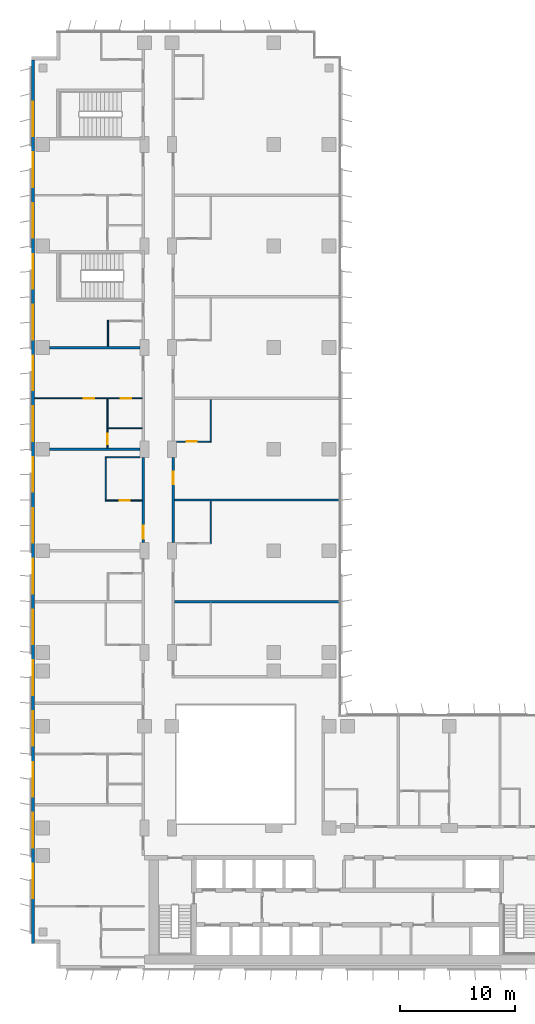
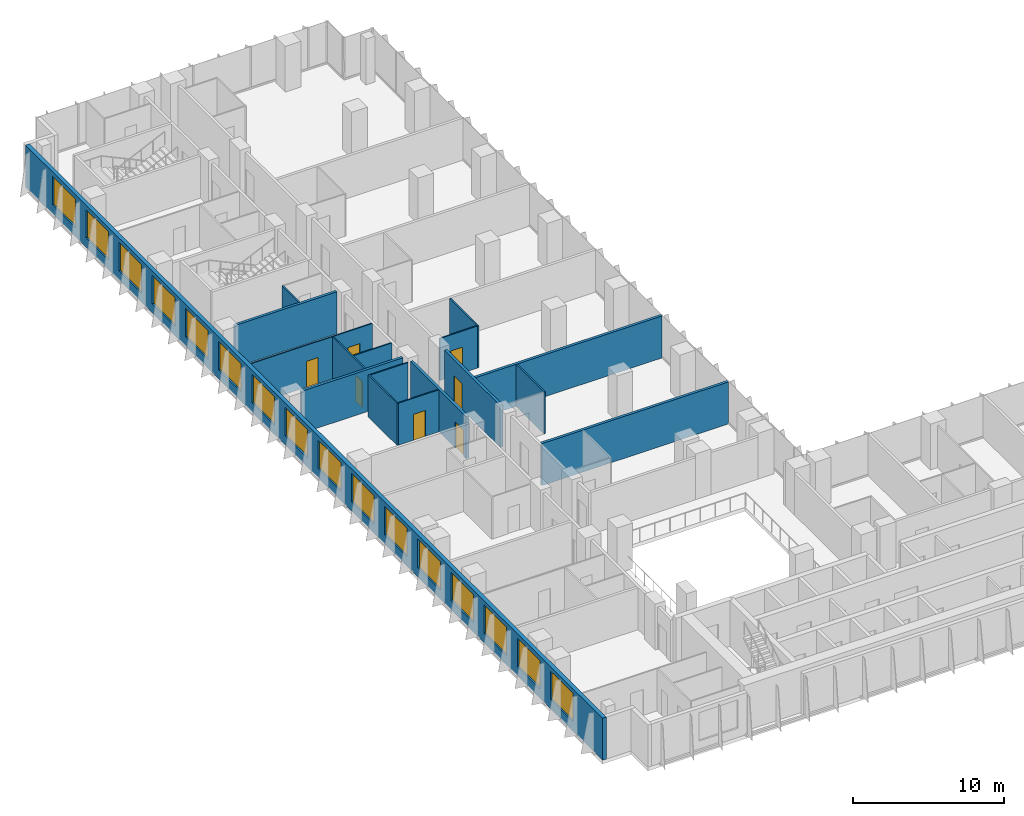
# One storey, part 16 of 22: 17 walls, 16 windows, 7 doors, 23 openings.
"""IFC4 building model written with IfcOpenShell, lengths in metres."""

from ifc_helpers import new_model, si_unit, direction, frame, frame_2d, origin, place, context, subcontext, project, spatial, rectangle, extrude, material, layer, layer_set, type_object, element, fill, save


model = new_model("IFC4")

# Units and contexts
model_context = context("Model", 3, precision=1e-05, world=origin(), true_north=direction((0.0, 1.0)))
body_context = subcontext(model_context, "Body", "Model", "MODEL_VIEW")
ifc_project = project(units=[si_unit("LENGTHUNIT", "METRE"), si_unit("AREAUNIT", "SQUARE_METRE"), si_unit("VOLUMEUNIT", "CUBIC_METRE"), si_unit("PLANEANGLEUNIT", "RADIAN"), si_unit("MASSUNIT", "GRAM", prefix="KILO")], contexts=[model_context])

# Site, building, storey
site_placement = place(None, origin())
site = spatial("IfcSite", under=ifc_project, at=site_placement, CompositionType="ELEMENT")
building_placement = place(site_placement, origin())
building = spatial("IfcBuilding", under=site, at=building_placement, Name="Kemantara Hotel Tower", CompositionType="ELEMENT")
storey_placement = place(building_placement, frame((0.0, 0.0, 145.699951171875)))
storey = spatial("IfcBuildingStorey", under=building, at=storey_placement, Name="L35", CompositionType="ELEMENT", Elevation=145.699951171875)

# Wall, openings, windows
ifc_material_1 = material(Name="Bronze anodised aluminium cladding on insulated steel stud wall", Category="steel")
ifc_layer_1 = layer(ifc_material_1, 0.300048828125)
ifc_layer_set_1 = layer_set([ifc_layer_1], Name="Bronze anodised aluminium cladding on insulated steel stud wall")
wall_type_1 = type_object("IfcWallType", Name="BRONZE METAL-CLAD EXTERNAL WALL 300", PredefinedType="STANDARD", material=ifc_layer_set_1)
wall_1_placement = place(storey_placement, frame((0.14990234375, 78.699951171875, 0.0), z_axis=(0.0, 0.0, 1.0), x_axis=(0.0, -1.0, 0.0)))
wall_1 = element("IfcWall", 1, at=wall_1_placement, inside=storey, type_object=wall_type_1, Name="EXTERNAL WALL L35 T2-R04", PredefinedType="STANDARD", context=body_context, shape_type="SweptSolid", body=[
    extrude(rectangle(XDim=76.5, YDim=0.300048828125, at=frame_2d((38.25, 0.0))), origin(), (0.0, 0.0, 1.0), 3.400146484375),
])
opening_1_placement = place(wall_1_placement, frame((3.60009765625, 0.0, 0.75)))
opening_1 = element("IfcOpeningElement", 2, at=opening_1_placement, cuts=wall_1, Name="Opening W1", PredefinedType="OPENING", context=body_context, shape_type="SweptSolid", body=[
    extrude(rectangle(XDim=3.0, YDim=2.300048828125, at=frame_2d((1.5, 1.14990234375))), frame((0.0, 0.159912109375, 0.0), z_axis=(0.0, -1.0, 0.0), x_axis=(1.0, 0.0, 0.0)), (0.0, 0.0, 1.0), 0.320068359375),
])
opening_2_placement = place(wall_1_placement, frame((8.0, 0.0, 0.75)))
opening_2 = element("IfcOpeningElement", 3, at=opening_2_placement, cuts=wall_1, Name="Opening W1", PredefinedType="OPENING", context=body_context, shape_type="SweptSolid", body=[
    extrude(rectangle(XDim=3.0, YDim=2.300048828125, at=frame_2d((1.5, 1.14990234375))), frame((0.0, 0.159912109375, 0.0), z_axis=(0.0, -1.0, 0.0), x_axis=(1.0, 0.0, 0.0)), (0.0, 0.0, 1.0), 0.320068359375),
])
opening_3_placement = place(wall_1_placement, frame((12.39990234375, 0.0, 0.75)))
opening_3 = element("IfcOpeningElement", 4, at=opening_3_placement, cuts=wall_1, Name="Opening W1", PredefinedType="OPENING", context=body_context, shape_type="SweptSolid", body=[
    extrude(rectangle(XDim=3.0, YDim=2.300048828125, at=frame_2d((1.5, 1.14990234375))), frame((0.0, 0.159912109375, 0.0), z_axis=(0.0, -1.0, 0.0), x_axis=(1.0, 0.0, 0.0)), (0.0, 0.0, 1.0), 0.320068359375),
])
opening_4_placement = place(wall_1_placement, frame((16.800048828125, 0.0, 0.75)))
opening_4 = element("IfcOpeningElement", 5, at=opening_4_placement, cuts=wall_1, Name="Opening W1", PredefinedType="OPENING", context=body_context, shape_type="SweptSolid", body=[
    extrude(rectangle(XDim=3.0, YDim=2.300048828125, at=frame_2d((1.5, 1.14990234375))), frame((0.0, 0.159912109375, 0.0), z_axis=(0.0, -1.0, 0.0), x_axis=(1.0, 0.0, 0.0)), (0.0, 0.0, 1.0), 0.320068359375),
])
opening_5_placement = place(wall_1_placement, frame((21.199951171875, 0.0, 0.75)))
opening_5 = element("IfcOpeningElement", 6, at=opening_5_placement, cuts=wall_1, Name="Opening W1", PredefinedType="OPENING", context=body_context, shape_type="SweptSolid", body=[
    extrude(rectangle(XDim=3.0, YDim=2.300048828125, at=frame_2d((1.5, 1.14990234375))), frame((0.0, 0.159912109375, 0.0), z_axis=(0.0, -1.0, 0.0), x_axis=(1.0, 0.0, 0.0)), (0.0, 0.0, 1.0), 0.320068359375),
])
opening_6_placement = place(wall_1_placement, frame((25.60009765625, 0.0, 0.75)))
opening_6 = element("IfcOpeningElement", 7, at=opening_6_placement, cuts=wall_1, Name="Opening W1", PredefinedType="OPENING", context=body_context, shape_type="SweptSolid", body=[
    extrude(rectangle(XDim=3.0, YDim=2.300048828125, at=frame_2d((1.5, 1.14990234375))), frame((0.0, 0.159912109375, 0.0), z_axis=(0.0, -1.0, 0.0), x_axis=(1.0, 0.0, 0.0)), (0.0, 0.0, 1.0), 0.320068359375),
])
opening_7_placement = place(wall_1_placement, frame((30.0, 0.0, 0.75)))
opening_7 = element("IfcOpeningElement", 8, at=opening_7_placement, cuts=wall_1, Name="Opening W1", PredefinedType="OPENING", context=body_context, shape_type="SweptSolid", body=[
    extrude(rectangle(XDim=3.0, YDim=2.300048828125, at=frame_2d((1.5, 1.14990234375))), frame((0.0, 0.159912109375, 0.0), z_axis=(0.0, -1.0, 0.0), x_axis=(1.0, 0.0, 0.0)), (0.0, 0.0, 1.0), 0.320068359375),
])
opening_8_placement = place(wall_1_placement, frame((34.39990234375, 0.0, 0.75)))
opening_8 = element("IfcOpeningElement", 9, at=opening_8_placement, cuts=wall_1, Name="Opening W1", PredefinedType="OPENING", context=body_context, shape_type="SweptSolid", body=[
    extrude(rectangle(XDim=3.0, YDim=2.300048828125, at=frame_2d((1.5, 1.14990234375))), frame((0.0, 0.159912109375, 0.0), z_axis=(0.0, -1.0, 0.0), x_axis=(1.0, 0.0, 0.0)), (0.0, 0.0, 1.0), 0.320068359375),
])
opening_9_placement = place(wall_1_placement, frame((38.800048828125, 0.0, 0.75)))
opening_9 = element("IfcOpeningElement", 10, at=opening_9_placement, cuts=wall_1, Name="Opening W1", PredefinedType="OPENING", context=body_context, shape_type="SweptSolid", body=[
    extrude(rectangle(XDim=3.0, YDim=2.300048828125, at=frame_2d((1.5, 1.14990234375))), frame((0.0, 0.159912109375, 0.0), z_axis=(0.0, -1.0, 0.0), x_axis=(1.0, 0.0, 0.0)), (0.0, 0.0, 1.0), 0.320068359375),
])
opening_10_placement = place(wall_1_placement, frame((43.199951171875, 0.0, 0.75)))
opening_10 = element("IfcOpeningElement", 11, at=opening_10_placement, cuts=wall_1, Name="Opening W1", PredefinedType="OPENING", context=body_context, shape_type="SweptSolid", body=[
    extrude(rectangle(XDim=3.0, YDim=2.300048828125, at=frame_2d((1.5, 1.14990234375))), frame((0.0, 0.159912109375, 0.0), z_axis=(0.0, -1.0, 0.0), x_axis=(1.0, 0.0, 0.0)), (0.0, 0.0, 1.0), 0.320068359375),
])
opening_11_placement = place(wall_1_placement, frame((47.60009765625, 0.0, 0.75)))
opening_11 = element("IfcOpeningElement", 12, at=opening_11_placement, cuts=wall_1, Name="Opening W1", PredefinedType="OPENING", context=body_context, shape_type="SweptSolid", body=[
    extrude(rectangle(XDim=3.0, YDim=2.300048828125, at=frame_2d((1.5, 1.14990234375))), frame((0.0, 0.159912109375, 0.0), z_axis=(0.0, -1.0, 0.0), x_axis=(1.0, 0.0, 0.0)), (0.0, 0.0, 1.0), 0.320068359375),
])
opening_12_placement = place(wall_1_placement, frame((52.0, 0.0, 0.75)))
opening_12 = element("IfcOpeningElement", 13, at=opening_12_placement, cuts=wall_1, Name="Opening W1", PredefinedType="OPENING", context=body_context, shape_type="SweptSolid", body=[
    extrude(rectangle(XDim=3.0, YDim=2.300048828125, at=frame_2d((1.5, 1.14990234375))), frame((0.0, 0.159912109375, 0.0), z_axis=(0.0, -1.0, 0.0), x_axis=(1.0, 0.0, 0.0)), (0.0, 0.0, 1.0), 0.320068359375),
])
opening_13_placement = place(wall_1_placement, frame((56.39990234375, 0.0, 0.75)))
opening_13 = element("IfcOpeningElement", 14, at=opening_13_placement, cuts=wall_1, Name="Opening W1", PredefinedType="OPENING", context=body_context, shape_type="SweptSolid", body=[
    extrude(rectangle(XDim=3.0, YDim=2.300048828125, at=frame_2d((1.5, 1.14990234375))), frame((0.0, 0.159912109375, 0.0), z_axis=(0.0, -1.0, 0.0), x_axis=(1.0, 0.0, 0.0)), (0.0, 0.0, 1.0), 0.320068359375),
])
opening_14_placement = place(wall_1_placement, frame((60.800048828125, 0.0, 0.75)))
opening_14 = element("IfcOpeningElement", 15, at=opening_14_placement, cuts=wall_1, Name="Opening W1", PredefinedType="OPENING", context=body_context, shape_type="SweptSolid", body=[
    extrude(rectangle(XDim=3.0, YDim=2.300048828125, at=frame_2d((1.5, 1.14990234375))), frame((0.0, 0.159912109375, 0.0), z_axis=(0.0, -1.0, 0.0), x_axis=(1.0, 0.0, 0.0)), (0.0, 0.0, 1.0), 0.320068359375),
])
opening_15_placement = place(wall_1_placement, frame((65.199951171875, 0.0, 0.75)))
opening_15 = element("IfcOpeningElement", 16, at=opening_15_placement, cuts=wall_1, Name="Opening W1", PredefinedType="OPENING", context=body_context, shape_type="SweptSolid", body=[
    extrude(rectangle(XDim=3.0, YDim=2.300048828125, at=frame_2d((1.5, 1.14990234375))), frame((0.0, 0.159912109375, 0.0), z_axis=(0.0, -1.0, 0.0), x_axis=(1.0, 0.0, 0.0)), (0.0, 0.0, 1.0), 0.320068359375),
])
opening_16_placement = place(wall_1_placement, frame((69.60009765625, 0.0, 0.75)))
opening_16 = element("IfcOpeningElement", 17, at=opening_16_placement, cuts=wall_1, Name="Opening W1", PredefinedType="OPENING", context=body_context, shape_type="SweptSolid", body=[
    extrude(rectangle(XDim=3.0, YDim=2.300048828125, at=frame_2d((1.5, 1.14990234375))), frame((0.0, 0.159912109375, 0.0), z_axis=(0.0, -1.0, 0.0), x_axis=(1.0, 0.0, 0.0)), (0.0, 0.0, 1.0), 0.320068359375),
])
ifc_material_2 = material(Name="Low-E tinted double insulated glass in bronze anodised aluminium frame", Category="aluminium")
window_type = type_object("IfcWindowType", Name="CHICAGO WINDOW, TRIPLE PANEL 3000x2300", PartitioningType="TRIPLE_PANEL_VERTICAL", PredefinedType="WINDOW", material=ifc_material_2)
window_1_placement = place(opening_1_placement, origin())
window_1 = element("IfcWindow", 18, at=window_1_placement, inside=storey, type_object=window_type, Name="CHICAGO WINDOW L35 T2-R04-54", OverallHeight=2.300048828125, OverallWidth=3.0, PartitioningType="SINGLE_PANEL", PredefinedType="WINDOW", context=body_context, shape_type="SweptSolid", body=[
    extrude(rectangle(XDim=3.0, YDim=2.300048828125, at=frame_2d((1.5, 1.14990234375))), frame((0.0, 0.030029296875, 0.0), z_axis=(0.0, -1.0, 0.0), x_axis=(1.0, 0.0, 0.0)), (0.0, 0.0, 1.0), 0.06005859375),
])
fill(opening_1, window_1)
window_2_placement = place(opening_2_placement, origin())
window_2 = element("IfcWindow", 19, at=window_2_placement, inside=storey, type_object=window_type, Name="CHICAGO WINDOW L35 T2-R04-98", OverallHeight=2.300048828125, OverallWidth=3.0, PartitioningType="SINGLE_PANEL", PredefinedType="WINDOW", context=body_context, shape_type="SweptSolid", body=[
    extrude(rectangle(XDim=3.0, YDim=2.300048828125, at=frame_2d((1.5, 1.14990234375))), frame((0.0, 0.030029296875, 0.0), z_axis=(0.0, -1.0, 0.0), x_axis=(1.0, 0.0, 0.0)), (0.0, 0.0, 1.0), 0.06005859375),
])
fill(opening_2, window_2)
window_3_placement = place(opening_3_placement, origin())
window_3 = element("IfcWindow", 20, at=window_3_placement, inside=storey, type_object=window_type, Name="CHICAGO WINDOW L35 T2-R04-142", OverallHeight=2.300048828125, OverallWidth=3.0, PartitioningType="SINGLE_PANEL", PredefinedType="WINDOW", context=body_context, shape_type="SweptSolid", body=[
    extrude(rectangle(XDim=3.0, YDim=2.300048828125, at=frame_2d((1.5, 1.14990234375))), frame((0.0, 0.030029296875, 0.0), z_axis=(0.0, -1.0, 0.0), x_axis=(1.0, 0.0, 0.0)), (0.0, 0.0, 1.0), 0.06005859375),
])
fill(opening_3, window_3)
window_4_placement = place(opening_4_placement, origin())
window_4 = element("IfcWindow", 21, at=window_4_placement, inside=storey, type_object=window_type, Name="CHICAGO WINDOW L35 T2-R04-186", OverallHeight=2.300048828125, OverallWidth=3.0, PartitioningType="SINGLE_PANEL", PredefinedType="WINDOW", context=body_context, shape_type="SweptSolid", body=[
    extrude(rectangle(XDim=3.0, YDim=2.300048828125, at=frame_2d((1.5, 1.14990234375))), frame((0.0, 0.030029296875, 0.0), z_axis=(0.0, -1.0, 0.0), x_axis=(1.0, 0.0, 0.0)), (0.0, 0.0, 1.0), 0.06005859375),
])
fill(opening_4, window_4)
window_5_placement = place(opening_5_placement, origin())
window_5 = element("IfcWindow", 22, at=window_5_placement, inside=storey, type_object=window_type, Name="CHICAGO WINDOW L35 T2-R04-230", OverallHeight=2.300048828125, OverallWidth=3.0, PartitioningType="SINGLE_PANEL", PredefinedType="WINDOW", context=body_context, shape_type="SweptSolid", body=[
    extrude(rectangle(XDim=3.0, YDim=2.300048828125, at=frame_2d((1.5, 1.14990234375))), frame((0.0, 0.030029296875, 0.0), z_axis=(0.0, -1.0, 0.0), x_axis=(1.0, 0.0, 0.0)), (0.0, 0.0, 1.0), 0.06005859375),
])
fill(opening_5, window_5)
window_6_placement = place(opening_6_placement, origin())
window_6 = element("IfcWindow", 23, at=window_6_placement, inside=storey, type_object=window_type, Name="CHICAGO WINDOW L35 T2-R04-274", OverallHeight=2.300048828125, OverallWidth=3.0, PartitioningType="SINGLE_PANEL", PredefinedType="WINDOW", context=body_context, shape_type="SweptSolid", body=[
    extrude(rectangle(XDim=3.0, YDim=2.300048828125, at=frame_2d((1.5, 1.14990234375))), frame((0.0, 0.030029296875, 0.0), z_axis=(0.0, -1.0, 0.0), x_axis=(1.0, 0.0, 0.0)), (0.0, 0.0, 1.0), 0.06005859375),
])
fill(opening_6, window_6)
window_7_placement = place(opening_7_placement, origin())
window_7 = element("IfcWindow", 24, at=window_7_placement, inside=storey, type_object=window_type, Name="CHICAGO WINDOW L35 T2-R04-318", OverallHeight=2.300048828125, OverallWidth=3.0, PartitioningType="SINGLE_PANEL", PredefinedType="WINDOW", context=body_context, shape_type="SweptSolid", body=[
    extrude(rectangle(XDim=3.0, YDim=2.300048828125, at=frame_2d((1.5, 1.14990234375))), frame((0.0, 0.030029296875, 0.0), z_axis=(0.0, -1.0, 0.0), x_axis=(1.0, 0.0, 0.0)), (0.0, 0.0, 1.0), 0.06005859375),
])
fill(opening_7, window_7)
window_8_placement = place(opening_8_placement, origin())
window_8 = element("IfcWindow", 25, at=window_8_placement, inside=storey, type_object=window_type, Name="CHICAGO WINDOW L35 T2-R04-362", OverallHeight=2.300048828125, OverallWidth=3.0, PartitioningType="SINGLE_PANEL", PredefinedType="WINDOW", context=body_context, shape_type="SweptSolid", body=[
    extrude(rectangle(XDim=3.0, YDim=2.300048828125, at=frame_2d((1.5, 1.14990234375))), frame((0.0, 0.030029296875, 0.0), z_axis=(0.0, -1.0, 0.0), x_axis=(1.0, 0.0, 0.0)), (0.0, 0.0, 1.0), 0.06005859375),
])
fill(opening_8, window_8)
window_9_placement = place(opening_9_placement, origin())
window_9 = element("IfcWindow", 26, at=window_9_placement, inside=storey, type_object=window_type, Name="CHICAGO WINDOW L35 T2-R04-406", OverallHeight=2.300048828125, OverallWidth=3.0, PartitioningType="SINGLE_PANEL", PredefinedType="WINDOW", context=body_context, shape_type="SweptSolid", body=[
    extrude(rectangle(XDim=3.0, YDim=2.300048828125, at=frame_2d((1.5, 1.14990234375))), frame((0.0, 0.030029296875, 0.0), z_axis=(0.0, -1.0, 0.0), x_axis=(1.0, 0.0, 0.0)), (0.0, 0.0, 1.0), 0.06005859375),
])
fill(opening_9, window_9)
window_10_placement = place(opening_10_placement, origin())
window_10 = element("IfcWindow", 27, at=window_10_placement, inside=storey, type_object=window_type, Name="CHICAGO WINDOW L35 T2-R04-450", OverallHeight=2.300048828125, OverallWidth=3.0, PartitioningType="SINGLE_PANEL", PredefinedType="WINDOW", context=body_context, shape_type="SweptSolid", body=[
    extrude(rectangle(XDim=3.0, YDim=2.300048828125, at=frame_2d((1.5, 1.14990234375))), frame((0.0, 0.030029296875, 0.0), z_axis=(0.0, -1.0, 0.0), x_axis=(1.0, 0.0, 0.0)), (0.0, 0.0, 1.0), 0.06005859375),
])
fill(opening_10, window_10)
window_11_placement = place(opening_11_placement, origin())
window_11 = element("IfcWindow", 28, at=window_11_placement, inside=storey, type_object=window_type, Name="CHICAGO WINDOW L35 T2-R04-494", OverallHeight=2.300048828125, OverallWidth=3.0, PartitioningType="SINGLE_PANEL", PredefinedType="WINDOW", context=body_context, shape_type="SweptSolid", body=[
    extrude(rectangle(XDim=3.0, YDim=2.300048828125, at=frame_2d((1.5, 1.14990234375))), frame((0.0, 0.030029296875, 0.0), z_axis=(0.0, -1.0, 0.0), x_axis=(1.0, 0.0, 0.0)), (0.0, 0.0, 1.0), 0.06005859375),
])
fill(opening_11, window_11)
window_12_placement = place(opening_12_placement, origin())
window_12 = element("IfcWindow", 29, at=window_12_placement, inside=storey, type_object=window_type, Name="CHICAGO WINDOW L35 T2-R04-538", OverallHeight=2.300048828125, OverallWidth=3.0, PartitioningType="SINGLE_PANEL", PredefinedType="WINDOW", context=body_context, shape_type="SweptSolid", body=[
    extrude(rectangle(XDim=3.0, YDim=2.300048828125, at=frame_2d((1.5, 1.14990234375))), frame((0.0, 0.030029296875, 0.0), z_axis=(0.0, -1.0, 0.0), x_axis=(1.0, 0.0, 0.0)), (0.0, 0.0, 1.0), 0.06005859375),
])
fill(opening_12, window_12)
window_13_placement = place(opening_13_placement, origin())
window_13 = element("IfcWindow", 30, at=window_13_placement, inside=storey, type_object=window_type, Name="CHICAGO WINDOW L35 T2-R04-582", OverallHeight=2.300048828125, OverallWidth=3.0, PartitioningType="SINGLE_PANEL", PredefinedType="WINDOW", context=body_context, shape_type="SweptSolid", body=[
    extrude(rectangle(XDim=3.0, YDim=2.300048828125, at=frame_2d((1.5, 1.14990234375))), frame((0.0, 0.030029296875, 0.0), z_axis=(0.0, -1.0, 0.0), x_axis=(1.0, 0.0, 0.0)), (0.0, 0.0, 1.0), 0.06005859375),
])
fill(opening_13, window_13)
window_14_placement = place(opening_14_placement, origin())
window_14 = element("IfcWindow", 31, at=window_14_placement, inside=storey, type_object=window_type, Name="CHICAGO WINDOW L35 T2-R04-626", OverallHeight=2.300048828125, OverallWidth=3.0, PartitioningType="SINGLE_PANEL", PredefinedType="WINDOW", context=body_context, shape_type="SweptSolid", body=[
    extrude(rectangle(XDim=3.0, YDim=2.300048828125, at=frame_2d((1.5, 1.14990234375))), frame((0.0, 0.030029296875, 0.0), z_axis=(0.0, -1.0, 0.0), x_axis=(1.0, 0.0, 0.0)), (0.0, 0.0, 1.0), 0.06005859375),
])
fill(opening_14, window_14)
window_15_placement = place(opening_15_placement, origin())
window_15 = element("IfcWindow", 32, at=window_15_placement, inside=storey, type_object=window_type, Name="CHICAGO WINDOW L35 T2-R04-670", OverallHeight=2.300048828125, OverallWidth=3.0, PartitioningType="SINGLE_PANEL", PredefinedType="WINDOW", context=body_context, shape_type="SweptSolid", body=[
    extrude(rectangle(XDim=3.0, YDim=2.300048828125, at=frame_2d((1.5, 1.14990234375))), frame((0.0, 0.030029296875, 0.0), z_axis=(0.0, -1.0, 0.0), x_axis=(1.0, 0.0, 0.0)), (0.0, 0.0, 1.0), 0.06005859375),
])
fill(opening_15, window_15)
window_16_placement = place(opening_16_placement, origin())
window_16 = element("IfcWindow", 33, at=window_16_placement, inside=storey, type_object=window_type, Name="CHICAGO WINDOW L35 T2-R04-714", OverallHeight=2.300048828125, OverallWidth=3.0, PartitioningType="SINGLE_PANEL", PredefinedType="WINDOW", context=body_context, shape_type="SweptSolid", body=[
    extrude(rectangle(XDim=3.0, YDim=2.300048828125, at=frame_2d((1.5, 1.14990234375))), frame((0.0, 0.030029296875, 0.0), z_axis=(0.0, -1.0, 0.0), x_axis=(1.0, 0.0, 0.0)), (0.0, 0.0, 1.0), 0.06005859375),
])
fill(opening_16, window_16)

# Wall, opening, door
ifc_material_3 = material(Name="Gypsum board partition, steel studs and mineral wool, 200 mm", Category="steel")
ifc_layer_2 = layer(ifc_material_3, 0.199951171875)
ifc_layer_set_2 = layer_set([ifc_layer_2], Name="Gypsum board partition, steel studs and mineral wool, 200 mm")
wall_type_2 = type_object("IfcWallType", Name="CORRIDOR WALL 200", PredefinedType="PARTITIONING", material=ifc_layer_set_2)
wall_2_placement = place(storey_placement, frame((9.699951171875, 36.900146484375, 0.0), z_axis=(0.0, 0.0, 1.0), x_axis=(0.0, 1.0, 0.0)))
wall_2 = element("IfcWall", 34, at=wall_2_placement, inside=storey, type_object=wall_type_2, Name="CORRIDOR WALL 200 020", PredefinedType="PARTITIONING", context=body_context, shape_type="SweptSolid", body=[
    extrude(rectangle(XDim=7.399658203125, YDim=0.199951171875, at=frame_2d((3.69970703125, 0.0))), origin(), (0.0, 0.0, 1.0), 3.400146484375),
])
opening_17_placement = place(wall_2_placement, frame((0.349853515625, 0.0, 0.0)))
opening_17 = element("IfcOpeningElement", 35, at=opening_17_placement, cuts=wall_2, Name="Opening F16-031", PredefinedType="OPENING", context=body_context, shape_type="SweptSolid", body=[
    extrude(rectangle(XDim=1.10009765625, YDim=2.10009765625, at=frame_2d((0.550048828125, 1.050048828125))), frame((0.0, 0.10986328125, 0.0), z_axis=(0.0, -1.0, 0.0), x_axis=(1.0, 0.0, 0.0)), (0.0, 0.0, 1.0), 0.219970703125),
])
ifc_material_4 = material(Name="Hardwood veneer door leaf with steel frame", Category="steel")
door_type_1 = type_object("IfcDoorType", Name="SUITE ENTRANCE DOOR 1100 X 2100 FD30S", OperationType="NOTDEFINED", PredefinedType="DOOR", material=ifc_material_4)
door_1_placement = place(opening_17_placement, origin())
door_1 = element("IfcDoor", 36, at=door_1_placement, inside=storey, type_object=door_type_1, Name="SUITE ENTRANCE DOOR F16-031", OperationType="SINGLE_SWING_LEFT", OverallHeight=2.10009765625, OverallWidth=1.10009765625, PredefinedType="DOOR", context=body_context, shape_type="SweptSolid", body=[
    extrude(rectangle(XDim=1.10009765625, YDim=2.10009765625, at=frame_2d((0.550048828125, 1.050048828125))), frame((0.0, 0.02490234375, 0.0), z_axis=(0.0, -1.0, 0.0), x_axis=(1.0, 0.0, 0.0)), (0.0, 0.0, 1.0), 0.050048828125),
])
fill(opening_17, door_1)

wall_3_placement = place(storey_placement, frame((12.300048828125, 44.2998046875, 0.0), z_axis=(0.0, 0.0, 1.0), x_axis=(0.0, -1.0, 0.0)))
wall_3 = element("IfcWall", 37, at=wall_3_placement, inside=storey, type_object=wall_type_2, Name="CORRIDOR WALL 200 034", PredefinedType="PARTITIONING", context=body_context, shape_type="SweptSolid", body=[
    extrude(rectangle(XDim=7.399658203125, YDim=0.199951171875, at=frame_2d((3.69970703125, 0.0))), origin(), (0.0, 0.0, 1.0), 3.400146484375),
])
opening_18_placement = place(wall_3_placement, frame((1.25, 0.0, 0.0)))
opening_18 = element("IfcOpeningElement", 38, at=opening_18_placement, cuts=wall_3, Name="Opening F16-049", PredefinedType="OPENING", context=body_context, shape_type="SweptSolid", body=[
    extrude(rectangle(XDim=1.10009765625, YDim=2.10009765625, at=frame_2d((0.550048828125, 1.050048828125))), frame((0.0, 0.10986328125, 0.0), z_axis=(0.0, -1.0, 0.0), x_axis=(1.0, 0.0, 0.0)), (0.0, 0.0, 1.0), 0.219970703125),
])
door_2_placement = place(opening_18_placement, origin())
door_2 = element("IfcDoor", 39, at=door_2_placement, inside=storey, type_object=door_type_1, Name="SUITE ENTRANCE DOOR F16-049", OperationType="SINGLE_SWING_RIGHT", OverallHeight=2.10009765625, OverallWidth=1.10009765625, PredefinedType="DOOR", context=body_context, shape_type="SweptSolid", body=[
    extrude(rectangle(XDim=1.10009765625, YDim=2.10009765625, at=frame_2d((0.550048828125, 1.050048828125))), frame((0.0, 0.02490234375, 0.0), z_axis=(0.0, -1.0, 0.0), x_axis=(1.0, 0.0, 0.0)), (0.0, 0.0, 1.0), 0.050048828125),
])
fill(opening_18, door_2)

# Walls
ifc_layer_3 = layer(ifc_material_3, 0.199951171875)
ifc_layer_set_3 = layer_set([ifc_layer_3], Name="Gypsum board partition, steel studs and mineral wool, 200 mm")
wall_type_3 = type_object("IfcWallType", Name="GUEST ROOM PARTY WALL 200", PredefinedType="PARTITIONING", material=ifc_layer_set_3)
wall_4_placement = place(storey_placement, frame((12.39990234375, 31.800048828125, 0.0), z_axis=(0.0, 0.0, 1.0), x_axis=(1.0, 0.0, 0.0)))
element("IfcWall", 40, at=wall_4_placement, inside=storey, type_object=wall_type_3, Name="GUEST ROOM PARTY WALL 200 028", PredefinedType="PARTITIONING", context=body_context, shape_type="SweptSolid", body=[
    extrude(rectangle(XDim=14.27001953125, YDim=0.199951171875, at=frame_2d((7.135009765625, 0.0))), origin(), (0.0, 0.0, 1.0), 3.400146484375),
])
for number, where, z_axis, x_axis, name in (
    (41, (1.60009765625, 45.0, 0.0), (0.0, 0.0, 1.0), (1.0, 0.0, 0.0), "GUEST ROOM PARTY WALL 200 030"),
    (42, (1.60009765625, 53.800048828125, 0.0), (0.0, 0.0, 1.0), (1.0, 0.0, 0.0), "GUEST ROOM PARTY WALL 200 031"),
):
    element("IfcWall", number, at=place(storey_placement, frame(where, z_axis=z_axis, x_axis=x_axis)), inside=storey, type_object=wall_type_3, Name=name, PredefinedType="PARTITIONING", context=body_context, shape_type="SweptSolid", body=[
        extrude(rectangle(XDim=7.7998046875, YDim=0.199951171875, at=frame_2d((3.89990234375, 0.0))), origin(), (0.0, 0.0, 1.0), 3.400146484375),
    ])
wall_5_placement = place(storey_placement, frame((12.39990234375, 40.60009765625, 0.0), z_axis=(0.0, 0.0, 1.0), x_axis=(1.0, 0.0, 0.0)))
element("IfcWall", 43, at=wall_5_placement, inside=storey, type_object=wall_type_3, Name="GUEST ROOM PARTY WALL 200 041", PredefinedType="PARTITIONING", context=body_context, shape_type="SweptSolid", body=[
    extrude(rectangle(XDim=14.27001953125, YDim=0.199951171875, at=frame_2d((7.135009765625, 0.0))), origin(), (0.0, 0.0, 1.0), 3.400146484375),
])

# Wall, opening, door
ifc_material_5 = material(Name="Gypsum board partition on steel studs, 100 mm", Category="steel")
ifc_layer_4 = layer(ifc_material_5, 0.10009765625)
ifc_layer_set_4 = layer_set([ifc_layer_4], Name="Gypsum board partition on steel studs, 100 mm")
wall_type_4 = type_object("IfcWallType", Name="ROOM PARTITION 100", PredefinedType="PARTITIONING", material=ifc_layer_set_4)
wall_6_placement = place(storey_placement, frame((6.60009765625, 49.35009765625, 0.0), z_axis=(0.0, 0.0, 1.0), x_axis=(0.0, -1.0, 0.0)))
wall_6 = element("IfcWall", 44, at=wall_6_placement, inside=storey, type_object=wall_type_4, Name="ROOM PARTITION 100 068", PredefinedType="PARTITIONING", context=body_context, shape_type="SweptSolid", body=[
    extrude(rectangle(XDim=4.25, YDim=0.10009765625, at=frame_2d((2.125, 0.0))), origin(), (0.0, 0.0, 1.0), 3.400146484375),
])
opening_19_placement = place(wall_6_placement, frame((3.0, 0.0, 0.0)))
opening_19 = element("IfcOpeningElement", 45, at=opening_19_placement, cuts=wall_6, Name="Opening F16-036", PredefinedType="OPENING", context=body_context, shape_type="SweptSolid", body=[
    extrude(rectangle(XDim=0.89990234375, YDim=2.10009765625, at=frame_2d((0.449951171875, 1.050048828125))), frame((0.0, 0.06005859375, 0.0), z_axis=(0.0, -1.0, 0.0), x_axis=(1.0, 0.0, 0.0)), (0.0, 0.0, 1.0), 0.1201171875),
])
door_type_2 = type_object("IfcDoorType", Name="BATHROOM DOOR 900 X 2100", OperationType="NOTDEFINED", PredefinedType="DOOR", material=ifc_material_4)
door_3_placement = place(opening_19_placement, origin())
door_3 = element("IfcDoor", 46, at=door_3_placement, inside=storey, type_object=door_type_2, Name="BATHROOM DOOR F16-036", OperationType="SINGLE_SWING_LEFT", OverallHeight=2.10009765625, OverallWidth=0.89990234375, PredefinedType="DOOR", context=body_context, shape_type="SweptSolid", body=[
    extrude(rectangle(XDim=0.89990234375, YDim=2.10009765625, at=frame_2d((0.449951171875, 1.050048828125))), frame((0.0, 0.02490234375, 0.0), z_axis=(0.0, -1.0, 0.0), x_axis=(1.0, 0.0, 0.0)), (0.0, 0.0, 1.0), 0.050048828125),
])
fill(opening_19, door_3)

# Walls
wall_7_placement = place(storey_placement, frame((6.449951171875, 40.5, 0.0), z_axis=(0.0, 0.0, 1.0), x_axis=(0.0, 1.0, 0.0)))
element("IfcWall", 47, at=wall_7_placement, inside=storey, type_object=wall_type_4, Name="ROOM PARTITION 100 073", PredefinedType="PARTITIONING", context=body_context, shape_type="SweptSolid", body=[
    extrude(rectangle(XDim=3.85009765625, YDim=0.10009765625, at=frame_2d((1.925048828125, 0.0))), origin(), (0.0, 0.0, 1.0), 3.400146484375),
])
wall_8_placement = place(storey_placement, frame((6.64990234375, 53.89990234375, 0.0), z_axis=(0.0, 0.0, 1.0), x_axis=(0.0, 1.0, 0.0)))
element("IfcWall", 48, at=wall_8_placement, inside=storey, type_object=wall_type_4, Name="ROOM PARTITION 100 077", PredefinedType="PARTITIONING", context=body_context, shape_type="SweptSolid", body=[
    extrude(rectangle(XDim=2.25, YDim=0.10009765625, at=frame_2d((1.125, 0.0))), origin(), (0.0, 0.0, 1.0), 3.400146484375),
])

# Wall, opening, door
wall_9_placement = place(storey_placement, frame((6.5, 40.550048828125, 0.0), z_axis=(0.0, 0.0, 1.0), x_axis=(1.0, 0.0, 0.0)))
wall_9 = element("IfcWall", 49, at=wall_9_placement, inside=storey, type_object=wall_type_4, Name="ROOM PARTITION 100 079", PredefinedType="PARTITIONING", context=body_context, shape_type="SweptSolid", body=[
    extrude(rectangle(XDim=3.10009765625, YDim=0.10009765625, at=frame_2d((1.550048828125, 0.0))), origin(), (0.0, 0.0, 1.0), 3.400146484375),
])
opening_20_placement = place(wall_9_placement, frame((1.14990234375, 0.0, 0.0)))
opening_20 = element("IfcOpeningElement", 50, at=opening_20_placement, cuts=wall_9, Name="Opening F16-032", PredefinedType="OPENING", context=body_context, shape_type="SweptSolid", body=[
    extrude(rectangle(XDim=0.89990234375, YDim=2.10009765625, at=frame_2d((0.449951171875, 1.050048828125))), frame((0.0, 0.06005859375, 0.0), z_axis=(0.0, -1.0, 0.0), x_axis=(1.0, 0.0, 0.0)), (0.0, 0.0, 1.0), 0.1201171875),
])
door_4_placement = place(opening_20_placement, origin())
door_4 = element("IfcDoor", 51, at=door_4_placement, inside=storey, type_object=door_type_2, Name="BATHROOM DOOR F16-032", OperationType="SINGLE_SWING_RIGHT", OverallHeight=2.10009765625, OverallWidth=0.89990234375, PredefinedType="DOOR", context=body_context, shape_type="SweptSolid", body=[
    extrude(rectangle(XDim=0.89990234375, YDim=2.10009765625, at=frame_2d((0.449951171875, 1.050048828125))), frame((0.0, 0.02490234375, 0.0), z_axis=(0.0, -1.0, 0.0), x_axis=(1.0, 0.0, 0.0)), (0.0, 0.0, 1.0), 0.050048828125),
])
fill(opening_20, door_4)

# Wall
wall_10_placement = place(storey_placement, frame((6.5, 44.300048828125, 0.0), z_axis=(0.0, 0.0, 1.0), x_axis=(1.0, 0.0, 0.0)))
element("IfcWall", 52, at=wall_10_placement, inside=storey, type_object=wall_type_4, Name="ROOM PARTITION 100 080", PredefinedType="PARTITIONING", context=body_context, shape_type="SweptSolid", body=[
    extrude(rectangle(XDim=2.89990234375, YDim=0.10009765625, at=frame_2d((1.449951171875, 0.0))), origin(), (0.0, 0.0, 1.0), 3.400146484375),
])

# Wall, openings, doors
wall_11_placement = place(storey_placement, frame((0.31005859375, 49.39990234375, 0.0), z_axis=(0.0, 0.0, 1.0), x_axis=(1.0, 0.0, 0.0)))
wall_11 = element("IfcWall", 53, at=wall_11_placement, inside=storey, type_object=wall_type_4, Name="ROOM PARTITION 100 081", PredefinedType="PARTITIONING", context=body_context, shape_type="SweptSolid", body=[
    extrude(rectangle(XDim=9.2900390625, YDim=0.10009765625, at=frame_2d((4.64501953125, 0.0))), origin(), (0.0, 0.0, 1.0), 3.400146484375),
])
opening_21_placement = place(wall_11_placement, frame((7.43994140625, 0.0, 0.0)))
opening_21 = element("IfcOpeningElement", 54, at=opening_21_placement, cuts=wall_11, Name="Opening F16-034", PredefinedType="OPENING", context=body_context, shape_type="SweptSolid", body=[
    extrude(rectangle(XDim=0.89990234375, YDim=2.10009765625, at=frame_2d((0.449951171875, 1.050048828125))), frame((0.0, 0.06005859375, 0.0), z_axis=(0.0, -1.0, 0.0), x_axis=(1.0, 0.0, 0.0)), (0.0, 0.0, 1.0), 0.1201171875),
])
opening_22_placement = place(wall_11_placement, frame((4.239990234375, 0.0, 0.0)))
opening_22 = element("IfcOpeningElement", 55, at=opening_22_placement, cuts=wall_11, Name="Opening F16-035", PredefinedType="OPENING", context=body_context, shape_type="SweptSolid", body=[
    extrude(rectangle(XDim=0.89990234375, YDim=2.10009765625, at=frame_2d((0.449951171875, 1.050048828125))), frame((0.0, 0.06005859375, 0.0), z_axis=(0.0, -1.0, 0.0), x_axis=(1.0, 0.0, 0.0)), (0.0, 0.0, 1.0), 0.1201171875),
])
door_type_3 = type_object("IfcDoorType", Name="INTERNAL DOOR 900 X 2100", OperationType="NOTDEFINED", PredefinedType="DOOR", material=ifc_material_4)
door_5_placement = place(opening_22_placement, frame((0.89990234375, 0.0, 0.0), z_axis=(0.0, 0.0, 1.0), x_axis=(-1.0, 0.0, 0.0)))
door_5 = element("IfcDoor", 56, at=door_5_placement, inside=storey, type_object=door_type_3, Name="INTERNAL DOOR F16-035", OperationType="SINGLE_SWING_RIGHT", OverallHeight=2.10009765625, OverallWidth=0.89990234375, PredefinedType="DOOR", context=body_context, shape_type="SweptSolid", body=[
    extrude(rectangle(XDim=0.89990234375, YDim=2.10009765625, at=frame_2d((0.449951171875, 1.050048828125))), frame((0.0, 0.02490234375, 0.0), z_axis=(0.0, -1.0, 0.0), x_axis=(1.0, 0.0, 0.0)), (0.0, 0.0, 1.0), 0.050048828125),
])
fill(opening_22, door_5)
door_type_4 = type_object("IfcDoorType", Name="PANTRY DOOR 900 X 2100", OperationType="NOTDEFINED", PredefinedType="DOOR", material=ifc_material_4)
door_6_placement = place(opening_21_placement, origin())
door_6 = element("IfcDoor", 57, at=door_6_placement, inside=storey, type_object=door_type_4, Name="PANTRY DOOR F16-034", OperationType="SINGLE_SWING_RIGHT", OverallHeight=2.10009765625, OverallWidth=0.89990234375, PredefinedType="DOOR", context=body_context, shape_type="SweptSolid", body=[
    extrude(rectangle(XDim=0.89990234375, YDim=2.10009765625, at=frame_2d((0.449951171875, 1.050048828125))), frame((0.0, 0.02490234375, 0.0), z_axis=(0.0, -1.0, 0.0), x_axis=(1.0, 0.0, 0.0)), (0.0, 0.0, 1.0), 0.050048828125),
])
fill(opening_21, door_6)

# Walls
wall_12_placement = place(storey_placement, frame((6.64990234375, 46.800048828125, 0.0), z_axis=(0.0, 0.0, 1.0), x_axis=(1.0, 0.0, 0.0)))
element("IfcWall", 58, at=wall_12_placement, inside=storey, type_object=wall_type_4, Name="ROOM PARTITION 100 082", PredefinedType="PARTITIONING", context=body_context, shape_type="SweptSolid", body=[
    extrude(rectangle(XDim=2.9501953125, YDim=0.10009765625, at=frame_2d((1.47509765625, 0.0))), origin(), (0.0, 0.0, 1.0), 3.400146484375),
])
for number, where, z_axis, x_axis, name in (
    (59, (15.550048828125, 36.800048828125, 0.0), (0.0, 0.0, 1.0), (0.0, 1.0, 0.0), "ROOM PARTITION 100 088"),
    (60, (15.550048828125, 45.60009765625, 0.0), (0.0, 0.0, 1.0), (0.0, 1.0, 0.0), "ROOM PARTITION 100 089"),
):
    element("IfcWall", number, at=place(storey_placement, frame(where, z_axis=z_axis, x_axis=x_axis)), inside=storey, type_object=wall_type_4, Name=name, PredefinedType="PARTITIONING", context=body_context, shape_type="SweptSolid", body=[
        extrude(rectangle(XDim=3.699951171875, YDim=0.10009765625, at=frame_2d((1.85009765625, 0.0))), origin(), (0.0, 0.0, 1.0), 3.400146484375),
    ])

# Wall, opening, door
wall_13_placement = place(storey_placement, frame((12.60009765625, 45.64990234375, 0.0), z_axis=(0.0, 0.0, 1.0), x_axis=(1.0, 0.0, 0.0)))
wall_13 = element("IfcWall", 61, at=wall_13_placement, inside=storey, type_object=wall_type_4, Name="ROOM PARTITION 100 093", PredefinedType="PARTITIONING", context=body_context, shape_type="SweptSolid", body=[
    extrude(rectangle(XDim=2.89990234375, YDim=0.10009765625, at=frame_2d((1.449951171875, 0.0))), origin(), (0.0, 0.0, 1.0), 3.400146484375),
])
opening_23_placement = place(wall_13_placement, frame((0.849853515625, 0.0, 0.0)))
opening_23 = element("IfcOpeningElement", 62, at=opening_23_placement, cuts=wall_13, Name="Opening F16-050", PredefinedType="OPENING", context=body_context, shape_type="SweptSolid", body=[
    extrude(rectangle(XDim=0.89990234375, YDim=2.10009765625, at=frame_2d((0.449951171875, 1.050048828125))), frame((0.0, 0.06005859375, 0.0), z_axis=(0.0, -1.0, 0.0), x_axis=(1.0, 0.0, 0.0)), (0.0, 0.0, 1.0), 0.1201171875),
])
door_7_placement = place(opening_23_placement, origin())
door_7 = element("IfcDoor", 63, at=door_7_placement, inside=storey, type_object=door_type_2, Name="BATHROOM DOOR F16-050", OperationType="SINGLE_SWING_LEFT", OverallHeight=2.10009765625, OverallWidth=0.89990234375, PredefinedType="DOOR", context=body_context, shape_type="SweptSolid", body=[
    extrude(rectangle(XDim=0.89990234375, YDim=2.10009765625, at=frame_2d((0.449951171875, 1.050048828125))), frame((0.0, 0.02490234375, 0.0), z_axis=(0.0, -1.0, 0.0), x_axis=(1.0, 0.0, 0.0)), (0.0, 0.0, 1.0), 0.050048828125),
])
fill(opening_23, door_7)

save(model, "model.ifc")
